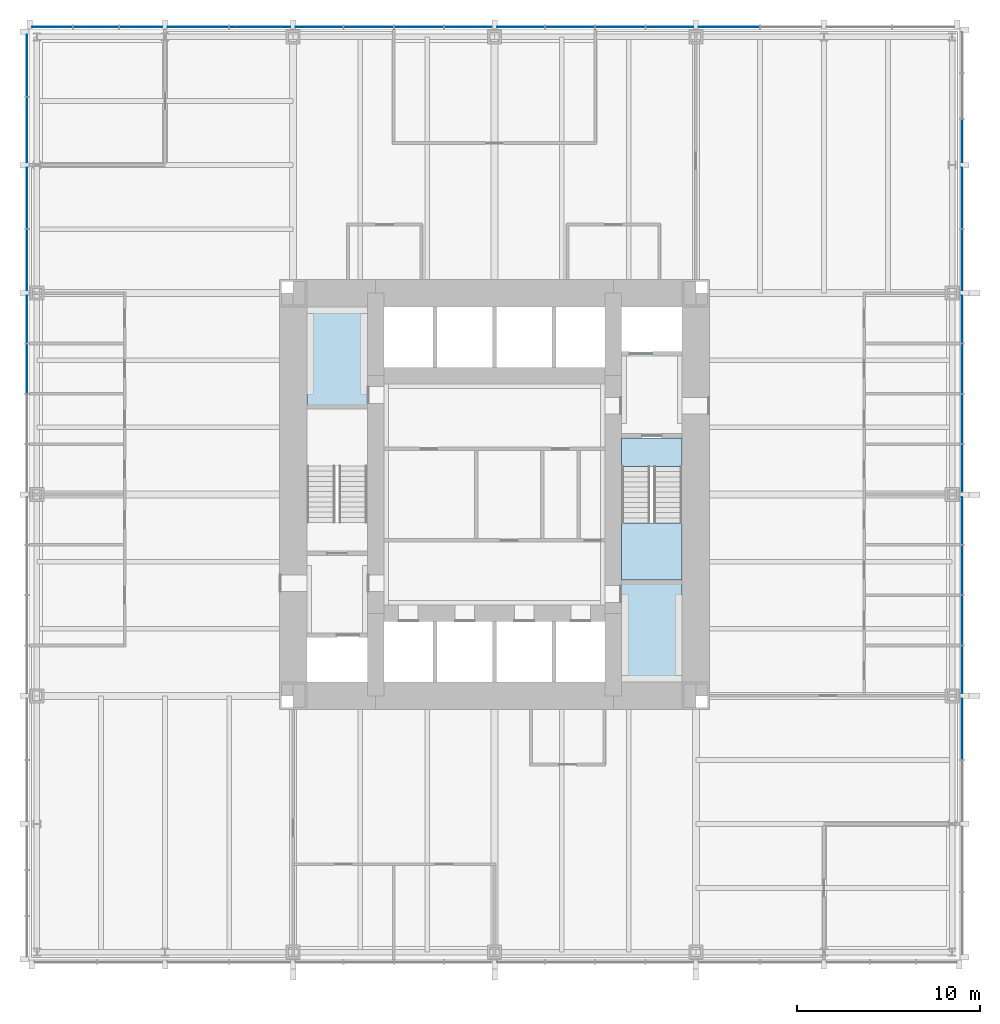
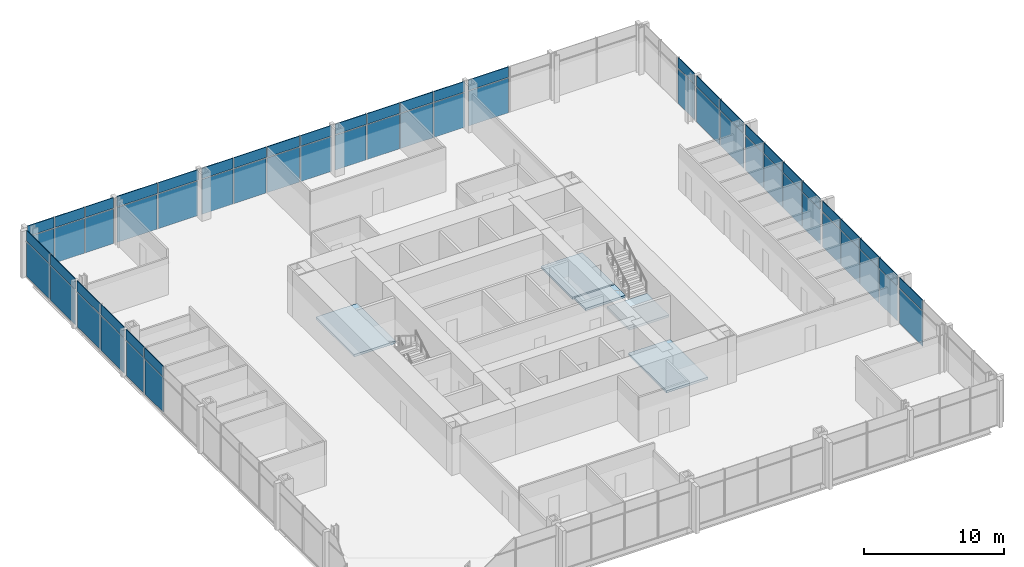
# One storey, part 8 of 13: 64 plates, 5 slabs, 4 elements without a shape of their own.
"""IFC4 building model written with IfcOpenShell, lengths in metres."""

import ifcopenshell
import ifcopenshell.guid

model = None  # the IFC model being written
_history = None  # IfcOwnerHistory: only IFC2X3 demands one
_inside = {}  # id of a spatial element -> (the spatial element, [elements in it])
_under = {}  # id of a project, library or spatial element -> (it, [spatial elements below it])
_declared = {}  # id of a project -> (the project, [libraries it declares])
_typed = {}  # id of a type object -> (the type object, [elements of that type])
_made_of = {}  # id of a material, layer set ... -> (it, [elements and type objects made of it])


def new_model(schema):
    """Start an empty IFC model of exactly this schema.

    Asked for "IFC4X3", IfcOpenShell would pick the latest addendum, in which some entities
    have other attributes; the version numbers below select the first issue.
    IFC2X3 requires an IfcOwnerHistory on every rooted entity: one is made here for all.
    """
    global model, _history
    if schema == "IFC4X3":
        model = ifcopenshell.file(schema_version=(4, 3, 0, 0))
    else:
        model = ifcopenshell.file(schema=schema)
    _inside.clear()
    _under.clear()
    _declared.clear()
    _typed.clear()
    _made_of.clear()
    _history = None
    if model.schema == "IFC2X3":
        org = make("IfcOrganization", Name="unknown")
        user = make(
            "IfcPersonAndOrganization",
            ThePerson=make("IfcPerson", FamilyName="unknown"),
            TheOrganization=org,
        )
        app = make(
            "IfcApplication",
            ApplicationDeveloper=org,
            Version="unknown",
            ApplicationFullName="unknown",
            ApplicationIdentifier="unknown",
        )
        _history = make(
            "IfcOwnerHistory",
            OwningUser=user,
            OwningApplication=app,
            ChangeAction="ADDED",
            CreationDate=0,
        )
    return model


def make(cls, **values):
    """One entity of the class cls with the attributes given. An attribute that is None is left unset."""
    return model.create_entity(
        cls, **{name: value for name, value in values.items() if value is not None}
    )


def rooted(cls, **values):
    """An entity with a GlobalId (a new one), such as an element, a storey or a relation."""
    return make(cls, GlobalId=ifcopenshell.guid.new(), OwnerHistory=_history, **values)


def si_unit(unit_type, name, prefix=None):
    """IfcSIUnit, for example si_unit("LENGTHUNIT", "METRE", prefix="MILLI")."""
    return make("IfcSIUnit", UnitType=unit_type, Prefix=prefix, Name=name)


def assignment(units):
    """IfcUnitAssignment: the units of a project."""
    return None if units is None else make("IfcUnitAssignment", Units=units)


def point(xyz):
    """IfcCartesianPoint."""
    return None if xyz is None else make("IfcCartesianPoint", Coordinates=xyz)


def direction(xyz):
    """IfcDirection."""
    return None if xyz is None else make("IfcDirection", DirectionRatios=xyz)


def frame(location, z_axis=None, x_axis=None):
    """IfcAxis2Placement3D, a coordinate frame: its origin and axes. An axis left out is left unset."""
    return make(
        "IfcAxis2Placement3D",
        Location=point(location),
        Axis=direction(z_axis),
        RefDirection=direction(x_axis),
    )


def frame_2d(location, x_axis=None):
    """IfcAxis2Placement2D, a coordinate frame in the plane: its origin and x axis."""
    return make(
        "IfcAxis2Placement2D", Location=point(location), RefDirection=direction(x_axis)
    )


def origin():
    """The frame at (0, 0, 0) with its axes left unset."""
    return frame((0.0, 0.0, 0.0))


def origin_2d():
    """The frame at (0, 0) in the plane with its x axis left unset."""
    return frame_2d((0.0, 0.0))


def place(relative_to, where):
    """IfcLocalPlacement: puts the frame where relative to a parent placement (None: the world)."""
    return make(
        "IfcLocalPlacement", PlacementRelTo=relative_to, RelativePlacement=where
    )


def context(
    kind, dimensions, precision=None, world=None, true_north=None, identifier=None
):
    """IfcGeometricRepresentationContext, for example the 3D "Model" context."""
    return make(
        "IfcGeometricRepresentationContext",
        ContextIdentifier=identifier,
        ContextType=kind,
        CoordinateSpaceDimension=dimensions,
        Precision=precision,
        WorldCoordinateSystem=world,
        TrueNorth=true_north,
    )


def subcontext(parent, identifier, kind, view, scale=None):
    """IfcGeometricRepresentationSubContext, for example "Body" below "Model"."""
    return make(
        "IfcGeometricRepresentationSubContext",
        ContextIdentifier=identifier,
        ContextType=kind,
        ParentContext=parent,
        TargetScale=scale,
        TargetView=view,
    )


def project(units=None, contexts=None):
    """IfcProject with its units and contexts."""
    return rooted(
        "IfcProject",
        Name="project",
        RepresentationContexts=contexts,
        UnitsInContext=assignment(units),
    )


def spatial(cls, under=None, at=None, **own):
    """A site, building, storey or space (cls), placed at a placement, below another one or the project."""
    s = rooted(cls, ObjectPlacement=at, **own)
    if under is not None:
        _under.setdefault(under.id(), (under, []))[1].append(s)
    return s


def polyline(points):
    """IfcPolyline through the points."""
    return make("IfcPolyline", Points=[point(p) for p in points])


def profile(cls, at=None, kind="AREA", **sizes):
    """A parametric profile (cls). Its sizes go by their IFC names, for example OverallWidth=200.0."""
    return make(cls, ProfileType=kind, Position=at, **sizes)


def rectangle(**sizes):
    """IfcRectangleProfileDef."""
    return profile("IfcRectangleProfileDef", **sizes)


def outline(outer, holes=None, kind="AREA"):
    """IfcArbitraryClosedProfileDef: a profile drawn as a closed curve; with holes, ...WithVoids."""
    if holes is None:
        return make("IfcArbitraryClosedProfileDef", ProfileType=kind, OuterCurve=outer)
    return make(
        "IfcArbitraryProfileDefWithVoids",
        ProfileType=kind,
        OuterCurve=outer,
        InnerCurves=holes,
    )


def extrude(swept, where, along, depth):
    """IfcExtrudedAreaSolid: the profile swept, set in the frame where, extruded along a direction by depth."""
    return make(
        "IfcExtrudedAreaSolid",
        SweptArea=swept,
        Position=where,
        ExtrudedDirection=direction(along),
        Depth=depth,
    )


def shape(context_of_items, identifier, shape_type, items):
    """IfcShapeRepresentation: the items that make up one representation, for example the "Body"."""
    return make(
        "IfcShapeRepresentation",
        ContextOfItems=context_of_items,
        RepresentationIdentifier=identifier,
        RepresentationType=shape_type,
        Items=items,
    )


def material(Name=None, Category=None):
    """IfcMaterial."""
    return make("IfcMaterial", Name=Name, Category=Category)


def layer(
    of_material, thickness, ventilated=None, Name=None, Category=None, Priority=None
):
    """IfcMaterialLayer: one layer of a wall or slab, of a material (None: an air gap)."""
    return make(
        "IfcMaterialLayer",
        Material=of_material,
        LayerThickness=thickness,
        IsVentilated=ventilated,
        Name=Name,
        Category=Category,
        Priority=Priority,
    )


def layer_set(layers, Name=None):
    """IfcMaterialLayerSet."""
    return make("IfcMaterialLayerSet", MaterialLayers=layers, LayerSetName=Name)


def made_of(thing, what):
    """Note that an element or type object is made of a material, layer set ...; save() writes the relation."""
    if what is not None:
        _made_of.setdefault(what.id(), (what, []))[1].append(thing)
    return thing


def type_object(cls, material=None, **own):
    """A type object (cls), such as IfcWallType, which elements share."""
    return made_of(rooted(cls, **own), material)


def element(
    cls,
    number,
    at=None,
    inside=None,
    cuts=None,
    type_object=None,
    material=None,
    context=None,
    identifier="Body",
    shape_type=None,
    held_by="IfcProductDefinitionShape",
    body=None,
    shapes=None,
    **own,
):
    """One element of the class cls, such as IfcWall. Its Tag is "e" and its number.

    at: its placement. inside: the storey or other place that contains it. cuts: it is an
    opening in that element (IfcRelVoidsElement). A single representation is given by context,
    identifier, shape_type and body (its items); several are given by shapes. held_by: the class
    of the entity that holds the representations. save() writes the other relations.
    """
    e = rooted(cls, Tag="e%d" % number, ObjectPlacement=at, **own)
    if body is not None:
        shapes = [shape(context, identifier, shape_type, body)]
    if shapes is not None:
        e.Representation = make(held_by, Representations=shapes)
    if inside is not None:
        _inside.setdefault(inside.id(), (inside, []))[1].append(e)
    if cuts is not None:
        rooted(
            "IfcRelVoidsElement", RelatingBuildingElement=cuts, RelatedOpeningElement=e
        )
    if type_object is not None:
        _typed.setdefault(type_object.id(), (type_object, []))[1].append(e)
    return made_of(e, material)


def aggregate(whole, parts):
    """IfcRelAggregates: a whole, such as a stair, and the parts it consists of."""
    return rooted("IfcRelAggregates", RelatingObject=whole, RelatedObjects=parts)


def save(model, path):
    """Write the relations noted so far, then the file.

    IfcRelAggregates (storeys below a building ...), IfcRelContainedInSpatialStructure (elements
    in a storey), IfcRelDefinesByType, IfcRelAssociatesMaterial and IfcRelDeclares: one each for
    every whole, place, type object, material and project.
    """
    for whole, parts in _under.values():
        aggregate(whole, parts)
    for where, things in _inside.values():
        rooted(
            "IfcRelContainedInSpatialStructure",
            RelatedElements=things,
            RelatingStructure=where,
        )
    for kind, things in _typed.values():
        rooted("IfcRelDefinesByType", RelatedObjects=things, RelatingType=kind)
    for what, things in _made_of.values():
        rooted("IfcRelAssociatesMaterial", RelatedObjects=things, RelatingMaterial=what)
    for by, libraries in _declared.values():
        rooted("IfcRelDeclares", RelatingContext=by, RelatedDefinitions=libraries)
    model.write(path)


model = new_model("IFC4")

# Units and contexts
model_context = context("Model", 3, precision=1e-05, world=origin(), true_north=direction((0.0, 1.0)))
body_context = subcontext(model_context, "Body", "Model", "MODEL_VIEW")
ifc_project = project(units=[si_unit("LENGTHUNIT", "METRE"), si_unit("AREAUNIT", "SQUARE_METRE"), si_unit("VOLUMEUNIT", "CUBIC_METRE"), si_unit("PLANEANGLEUNIT", "RADIAN"), si_unit("MASSUNIT", "GRAM", prefix="KILO")], contexts=[model_context])

# Site, building, storey
site_placement = place(None, origin())
site = spatial("IfcSite", under=ifc_project, at=site_placement, CompositionType="ELEMENT")
building_placement = place(site_placement, origin())
building = spatial("IfcBuilding", under=site, at=building_placement, Name="Trevanion Tower", CompositionType="ELEMENT")
storey_placement = place(building_placement, frame((0.0, 0.0, 85.699951171875)))
storey = spatial("IfcBuildingStorey", under=building, at=storey_placement, Name="L20", CompositionType="ELEMENT", Elevation=85.699951171875)

# Curtain wall, plates
ifc_material_1 = material(Name="Aluminium and glass", Category="aluminium")
curtain_wall_type = type_object("IfcCurtainWallType", Name="CW1 curtain wall", PredefinedType="USERDEFINED", material=ifc_material_1)
curtain_wall_1_placement = place(storey_placement, origin())
curtain_wall_1 = element("IfcCurtainWall", 1, at=curtain_wall_1_placement, inside=storey, type_object=curtain_wall_type, Name="CW1 L20 0", ObjectType="UNITISED CURTAIN WALL", PredefinedType="USERDEFINED")
ifc_material_2 = material(Name="Aluminium spandrel panel", Category="aluminium")
ifc_layer_1 = layer(ifc_material_2, 0.06005859375)
ifc_layer_set_1 = layer_set([ifc_layer_1], Name="CW1 spandrel panel")
plate_type_1 = type_object("IfcPlateType", Name="CW1 spandrel panel", PredefinedType="CURTAIN_PANEL", material=ifc_layer_set_1)
plate_1_placement = place(storey_placement, frame((25.550048828125, -12.806396484375, 2.99755859375), z_axis=(0.0, 0.0, 1.0), x_axis=(0.0, 1.0, 0.0)))
plate_1 = element("IfcPlate", 2, at=plate_1_placement, type_object=plate_type_1, Name="CW1 panel 4.2", PredefinedType="CURTAIN_PANEL", context=body_context, shape_type="SweptSolid", body=[
    extrude(rectangle(XDim=3.3125, YDim=0.06005859375, at=origin_2d()), origin(), (0.0, 0.0, 1.0), 0.91259765625),
])
plate_2_placement = place(storey_placement, frame((25.550048828125, -9.56884765625, 2.99755859375), z_axis=(0.0, 0.0, 1.0), x_axis=(0.0, 1.0, 0.0)))
plate_2 = element("IfcPlate", 3, at=plate_2_placement, type_object=plate_type_1, Name="CW1 panel 5.2", PredefinedType="CURTAIN_PANEL", context=body_context, shape_type="SweptSolid", body=[
    extrude(rectangle(XDim=2.5625, YDim=0.06005859375, at=origin_2d()), origin(), (0.0, 0.0, 1.0), 0.91259765625),
])
plate_3_placement = place(storey_placement, frame((25.550048828125, -6.875, 2.99755859375), z_axis=(0.0, 0.0, 1.0), x_axis=(0.0, 1.0, 0.0)))
plate_3 = element("IfcPlate", 4, at=plate_3_placement, type_object=plate_type_1, Name="CW1 panel 6.2", PredefinedType="CURTAIN_PANEL", context=body_context, shape_type="SweptSolid", body=[
    extrude(rectangle(XDim=2.675048828125, YDim=0.06005859375, at=origin_2d()), origin(), (0.0, 0.0, 1.0), 0.91259765625),
])
plate_4_placement = place(storey_placement, frame((25.550048828125, -4.125, 2.99755859375), z_axis=(0.0, 0.0, 1.0), x_axis=(0.0, 1.0, 0.0)))
plate_4 = element("IfcPlate", 5, at=plate_4_placement, type_object=plate_type_1, Name="CW1 panel 7.2", PredefinedType="CURTAIN_PANEL", context=body_context, shape_type="SweptSolid", body=[
    extrude(rectangle(XDim=2.675048828125, YDim=0.06005859375, at=origin_2d()), origin(), (0.0, 0.0, 1.0), 0.91259765625),
])
plate_5_placement = place(storey_placement, frame((25.550048828125, -1.43115234375, 2.99755859375), z_axis=(0.0, 0.0, 1.0), x_axis=(0.0, 1.0, 0.0)))
plate_5 = element("IfcPlate", 6, at=plate_5_placement, type_object=plate_type_1, Name="CW1 panel 8.2", PredefinedType="CURTAIN_PANEL", context=body_context, shape_type="SweptSolid", body=[
    extrude(rectangle(XDim=2.5625, YDim=0.06005859375, at=origin_2d()), origin(), (0.0, 0.0, 1.0), 0.91259765625),
])
plate_6_placement = place(storey_placement, frame((25.550048828125, 1.43115234375, 2.99755859375), z_axis=(0.0, 0.0, 1.0), x_axis=(0.0, 1.0, 0.0)))
plate_6 = element("IfcPlate", 7, at=plate_6_placement, type_object=plate_type_1, Name="CW1 panel 9.2", PredefinedType="CURTAIN_PANEL", context=body_context, shape_type="SweptSolid", body=[
    extrude(rectangle(XDim=2.5625, YDim=0.06005859375, at=origin_2d()), origin(), (0.0, 0.0, 1.0), 0.91259765625),
])
plate_7_placement = place(storey_placement, frame((25.550048828125, 4.125, 2.99755859375), z_axis=(0.0, 0.0, 1.0), x_axis=(0.0, 1.0, 0.0)))
plate_7 = element("IfcPlate", 8, at=plate_7_placement, type_object=plate_type_1, Name="CW1 panel 10.2", PredefinedType="CURTAIN_PANEL", context=body_context, shape_type="SweptSolid", body=[
    extrude(rectangle(XDim=2.675048828125, YDim=0.06005859375, at=origin_2d()), origin(), (0.0, 0.0, 1.0), 0.91259765625),
])
plate_8_placement = place(storey_placement, frame((25.550048828125, 6.875, 2.99755859375), z_axis=(0.0, 0.0, 1.0), x_axis=(0.0, 1.0, 0.0)))
plate_8 = element("IfcPlate", 9, at=plate_8_placement, type_object=plate_type_1, Name="CW1 panel 11.2", PredefinedType="CURTAIN_PANEL", context=body_context, shape_type="SweptSolid", body=[
    extrude(rectangle(XDim=2.675048828125, YDim=0.06005859375, at=origin_2d()), origin(), (0.0, 0.0, 1.0), 0.91259765625),
])
plate_9_placement = place(storey_placement, frame((25.550048828125, 9.56884765625, 2.99755859375), z_axis=(0.0, 0.0, 1.0), x_axis=(0.0, 1.0, 0.0)))
plate_9 = element("IfcPlate", 10, at=plate_9_placement, type_object=plate_type_1, Name="CW1 panel 12.2", PredefinedType="CURTAIN_PANEL", context=body_context, shape_type="SweptSolid", body=[
    extrude(rectangle(XDim=2.5625, YDim=0.06005859375, at=origin_2d()), origin(), (0.0, 0.0, 1.0), 0.91259765625),
])
plate_10_placement = place(storey_placement, frame((25.550048828125, 12.80615234375, 2.99755859375), z_axis=(0.0, 0.0, 1.0), x_axis=(0.0, 1.0, 0.0)))
plate_10 = element("IfcPlate", 11, at=plate_10_placement, type_object=plate_type_1, Name="CW1 panel 13.2", PredefinedType="CURTAIN_PANEL", context=body_context, shape_type="SweptSolid", body=[
    extrude(rectangle(XDim=3.3125, YDim=0.06005859375, at=origin_2d()), origin(), (0.0, 0.0, 1.0), 0.91259765625),
])
plate_11_placement = place(storey_placement, frame((25.550048828125, 16.19384765625, 2.99755859375), z_axis=(0.0, 0.0, 1.0), x_axis=(0.0, 1.0, 0.0)))
plate_11 = element("IfcPlate", 12, at=plate_11_placement, type_object=plate_type_1, Name="CW1 panel 14.2", PredefinedType="CURTAIN_PANEL", context=body_context, shape_type="SweptSolid", body=[
    extrude(rectangle(XDim=3.3125, YDim=0.06005859375, at=origin_2d()), origin(), (0.0, 0.0, 1.0), 0.91259765625),
])
plate_12_placement = place(storey_placement, frame((25.550048828125, 19.314697265625, 2.99755859375), z_axis=(0.0, 0.0, 1.0), x_axis=(0.0, 1.0, 0.0)))
plate_12 = element("IfcPlate", 13, at=plate_12_placement, type_object=plate_type_1, Name="CW1 panel 15.2", PredefinedType="CURTAIN_PANEL", context=body_context, shape_type="SweptSolid", body=[
    extrude(rectangle(XDim=2.3291015625, YDim=0.06005859375, at=origin_2d()), origin(), (0.0, 0.0, 1.0), 0.91259765625),
])

curtain_wall_2_placement = place(storey_placement, origin())
curtain_wall_2 = element("IfcCurtainWall", 14, at=curtain_wall_2_placement, inside=storey, type_object=curtain_wall_type, Name="CW1 L20 1", ObjectType="UNITISED CURTAIN WALL", PredefinedType="USERDEFINED")
plate_13_placement = place(storey_placement, frame((12.806396484375, 25.550048828125, 2.99755859375), z_axis=(0.0, 0.0, 1.0), x_axis=(-1.0, 0.0, 0.0)))
plate_13 = element("IfcPlate", 15, at=plate_13_placement, type_object=plate_type_1, Name="CW1 panel 4.2", PredefinedType="CURTAIN_PANEL", context=body_context, shape_type="SweptSolid", body=[
    extrude(rectangle(XDim=3.3125, YDim=0.06005859375, at=origin_2d()), origin(), (0.0, 0.0, 1.0), 0.91259765625),
])
plate_14_placement = place(storey_placement, frame((9.56884765625, 25.550048828125, 2.99755859375), z_axis=(0.0, 0.0, 1.0), x_axis=(-1.0, 0.0, 0.0)))
plate_14 = element("IfcPlate", 16, at=plate_14_placement, type_object=plate_type_1, Name="CW1 panel 5.2", PredefinedType="CURTAIN_PANEL", context=body_context, shape_type="SweptSolid", body=[
    extrude(rectangle(XDim=2.5625, YDim=0.06005859375, at=origin_2d()), origin(), (0.0, 0.0, 1.0), 0.91259765625),
])
plate_15_placement = place(storey_placement, frame((6.875, 25.550048828125, 2.99755859375), z_axis=(0.0, 0.0, 1.0), x_axis=(-1.0, 0.0, 0.0)))
plate_15 = element("IfcPlate", 17, at=plate_15_placement, type_object=plate_type_1, Name="CW1 panel 6.2", PredefinedType="CURTAIN_PANEL", context=body_context, shape_type="SweptSolid", body=[
    extrude(rectangle(XDim=2.675048828125, YDim=0.06005859375, at=origin_2d()), origin(), (0.0, 0.0, 1.0), 0.91259765625),
])
plate_16_placement = place(storey_placement, frame((4.125, 25.550048828125, 2.99755859375), z_axis=(0.0, 0.0, 1.0), x_axis=(-1.0, 0.0, 0.0)))
plate_16 = element("IfcPlate", 18, at=plate_16_placement, type_object=plate_type_1, Name="CW1 panel 7.2", PredefinedType="CURTAIN_PANEL", context=body_context, shape_type="SweptSolid", body=[
    extrude(rectangle(XDim=2.675048828125, YDim=0.06005859375, at=origin_2d()), origin(), (0.0, 0.0, 1.0), 0.91259765625),
])
plate_17_placement = place(storey_placement, frame((1.43115234375, 25.550048828125, 2.99755859375), z_axis=(0.0, 0.0, 1.0), x_axis=(-1.0, 0.0, 0.0)))
plate_17 = element("IfcPlate", 19, at=plate_17_placement, type_object=plate_type_1, Name="CW1 panel 8.2", PredefinedType="CURTAIN_PANEL", context=body_context, shape_type="SweptSolid", body=[
    extrude(rectangle(XDim=2.5625, YDim=0.06005859375, at=origin_2d()), origin(), (0.0, 0.0, 1.0), 0.91259765625),
])
plate_18_placement = place(storey_placement, frame((-1.43115234375, 25.550048828125, 2.99755859375), z_axis=(0.0, 0.0, 1.0), x_axis=(-1.0, 0.0, 0.0)))
plate_18 = element("IfcPlate", 20, at=plate_18_placement, type_object=plate_type_1, Name="CW1 panel 9.2", PredefinedType="CURTAIN_PANEL", context=body_context, shape_type="SweptSolid", body=[
    extrude(rectangle(XDim=2.5625, YDim=0.06005859375, at=origin_2d()), origin(), (0.0, 0.0, 1.0), 0.91259765625),
])
plate_19_placement = place(storey_placement, frame((-4.125, 25.550048828125, 2.99755859375), z_axis=(0.0, 0.0, 1.0), x_axis=(-1.0, 0.0, 0.0)))
plate_19 = element("IfcPlate", 21, at=plate_19_placement, type_object=plate_type_1, Name="CW1 panel 10.2", PredefinedType="CURTAIN_PANEL", context=body_context, shape_type="SweptSolid", body=[
    extrude(rectangle(XDim=2.675048828125, YDim=0.06005859375, at=origin_2d()), origin(), (0.0, 0.0, 1.0), 0.91259765625),
])
plate_20_placement = place(storey_placement, frame((-6.875, 25.550048828125, 2.99755859375), z_axis=(0.0, 0.0, 1.0), x_axis=(-1.0, 0.0, 0.0)))
plate_20 = element("IfcPlate", 22, at=plate_20_placement, type_object=plate_type_1, Name="CW1 panel 11.2", PredefinedType="CURTAIN_PANEL", context=body_context, shape_type="SweptSolid", body=[
    extrude(rectangle(XDim=2.675048828125, YDim=0.06005859375, at=origin_2d()), origin(), (0.0, 0.0, 1.0), 0.91259765625),
])
plate_21_placement = place(storey_placement, frame((-9.56884765625, 25.550048828125, 2.99755859375), z_axis=(0.0, 0.0, 1.0), x_axis=(-1.0, 0.0, 0.0)))
plate_21 = element("IfcPlate", 23, at=plate_21_placement, type_object=plate_type_1, Name="CW1 panel 12.2", PredefinedType="CURTAIN_PANEL", context=body_context, shape_type="SweptSolid", body=[
    extrude(rectangle(XDim=2.5625, YDim=0.06005859375, at=origin_2d()), origin(), (0.0, 0.0, 1.0), 0.91259765625),
])
plate_22_placement = place(storey_placement, frame((-12.80615234375, 25.550048828125, 2.99755859375), z_axis=(0.0, 0.0, 1.0), x_axis=(-1.0, 0.0, 0.0)))
plate_22 = element("IfcPlate", 24, at=plate_22_placement, type_object=plate_type_1, Name="CW1 panel 13.2", PredefinedType="CURTAIN_PANEL", context=body_context, shape_type="SweptSolid", body=[
    extrude(rectangle(XDim=3.3125, YDim=0.06005859375, at=origin_2d()), origin(), (0.0, 0.0, 1.0), 0.91259765625),
])
plate_23_placement = place(storey_placement, frame((-16.19384765625, 25.550048828125, 2.99755859375), z_axis=(0.0, 0.0, 1.0), x_axis=(-1.0, 0.0, 0.0)))
plate_23 = element("IfcPlate", 25, at=plate_23_placement, type_object=plate_type_1, Name="CW1 panel 14.2", PredefinedType="CURTAIN_PANEL", context=body_context, shape_type="SweptSolid", body=[
    extrude(rectangle(XDim=3.3125, YDim=0.06005859375, at=origin_2d()), origin(), (0.0, 0.0, 1.0), 0.91259765625),
])
plate_24_placement = place(storey_placement, frame((-19.314697265625, 25.550048828125, 2.99755859375), z_axis=(0.0, 0.0, 1.0), x_axis=(-1.0, 0.0, 0.0)))
plate_24 = element("IfcPlate", 26, at=plate_24_placement, type_object=plate_type_1, Name="CW1 panel 15.2", PredefinedType="CURTAIN_PANEL", context=body_context, shape_type="SweptSolid", body=[
    extrude(rectangle(XDim=2.3291015625, YDim=0.06005859375, at=origin_2d()), origin(), (0.0, 0.0, 1.0), 0.91259765625),
])
plate_25_placement = place(storey_placement, frame((-21.77490234375, 25.550048828125, 2.99755859375), z_axis=(0.0, 0.0, 1.0), x_axis=(-1.0, 0.0, 0.0)))
plate_25 = element("IfcPlate", 27, at=plate_25_placement, type_object=plate_type_1, Name="CW1 panel 16.2", PredefinedType="CURTAIN_PANEL", context=body_context, shape_type="SweptSolid", body=[
    extrude(rectangle(XDim=2.441650390625, YDim=0.06005859375, at=origin_2d()), origin(), (0.0, 0.0, 1.0), 0.91259765625),
])
plate_26_placement = place(storey_placement, frame((-24.160400390625, 25.550048828125, 2.99755859375), z_axis=(0.0, 0.0, 1.0), x_axis=(-1.0, 0.0, 0.0)))
plate_26 = element("IfcPlate", 28, at=plate_26_placement, type_object=plate_type_1, Name="CW1 panel 17.2", PredefinedType="CURTAIN_PANEL", context=body_context, shape_type="SweptSolid", body=[
    extrude(rectangle(XDim=2.17919921875, YDim=0.06005859375, at=origin_2d()), origin(), (0.0, 0.0, 1.0), 0.91259765625),
])

curtain_wall_3_placement = place(storey_placement, origin())
curtain_wall_3 = element("IfcCurtainWall", 29, at=curtain_wall_3_placement, inside=storey, type_object=curtain_wall_type, Name="CW1 L20 2", ObjectType="UNITISED CURTAIN WALL", PredefinedType="USERDEFINED")
plate_27_placement = place(storey_placement, frame((-25.550048828125, 23.433837890625, 2.99755859375), z_axis=(0.0, 0.0, 1.0), x_axis=(0.0, -1.0, 0.0)))
plate_27 = element("IfcPlate", 30, at=plate_27_placement, type_object=plate_type_1, Name="CW1 panel 1.2", PredefinedType="CURTAIN_PANEL", context=body_context, shape_type="SweptSolid", body=[
    extrude(rectangle(XDim=3.37255859375, YDim=0.06005859375, at=origin_2d()), origin(), (0.0, 0.0, 1.0), 0.91259765625),
])
plate_28_placement = place(storey_placement, frame((-25.550048828125, 19.911376953125, 2.99755859375), z_axis=(0.0, 0.0, 1.0), x_axis=(0.0, -1.0, 0.0)))
plate_28 = element("IfcPlate", 31, at=plate_28_placement, type_object=plate_type_1, Name="CW1 panel 2.2", PredefinedType="CURTAIN_PANEL", context=body_context, shape_type="SweptSolid", body=[
    extrude(rectangle(XDim=3.5224609375, YDim=0.06005859375, at=origin_2d()), origin(), (0.0, 0.0, 1.0), 0.91259765625),
])
plate_29_placement = place(storey_placement, frame((-25.550048828125, 16.19384765625, 2.99755859375), z_axis=(0.0, 0.0, 1.0), x_axis=(0.0, -1.0, 0.0)))
plate_29 = element("IfcPlate", 32, at=plate_29_placement, type_object=plate_type_1, Name="CW1 panel 3.2", PredefinedType="CURTAIN_PANEL", context=body_context, shape_type="SweptSolid", body=[
    extrude(rectangle(XDim=3.3125, YDim=0.06005859375, at=origin_2d()), origin(), (0.0, 0.0, 1.0), 0.91259765625),
])
plate_30_placement = place(storey_placement, frame((-25.550048828125, 12.806396484375, 2.99755859375), z_axis=(0.0, 0.0, 1.0), x_axis=(0.0, -1.0, 0.0)))
plate_30 = element("IfcPlate", 33, at=plate_30_placement, type_object=plate_type_1, Name="CW1 panel 4.2", PredefinedType="CURTAIN_PANEL", context=body_context, shape_type="SweptSolid", body=[
    extrude(rectangle(XDim=3.3125, YDim=0.06005859375, at=origin_2d()), origin(), (0.0, 0.0, 1.0), 0.91259765625),
])
plate_31_placement = place(storey_placement, frame((-25.550048828125, 9.56884765625, 2.99755859375), z_axis=(0.0, 0.0, 1.0), x_axis=(0.0, -1.0, 0.0)))
plate_31 = element("IfcPlate", 34, at=plate_31_placement, type_object=plate_type_1, Name="CW1 panel 5.2", PredefinedType="CURTAIN_PANEL", context=body_context, shape_type="SweptSolid", body=[
    extrude(rectangle(XDim=2.5625, YDim=0.06005859375, at=origin_2d()), origin(), (0.0, 0.0, 1.0), 0.91259765625),
])
plate_32_placement = place(storey_placement, frame((-25.550048828125, 6.875, 2.99755859375), z_axis=(0.0, 0.0, 1.0), x_axis=(0.0, -1.0, 0.0)))
plate_32 = element("IfcPlate", 35, at=plate_32_placement, type_object=plate_type_1, Name="CW1 panel 6.2", PredefinedType="CURTAIN_PANEL", context=body_context, shape_type="SweptSolid", body=[
    extrude(rectangle(XDim=2.675048828125, YDim=0.06005859375, at=origin_2d()), origin(), (0.0, 0.0, 1.0), 0.91259765625),
])

# Plate
ifc_material_3 = material(Name="Insulating glass unit", Category="glass")
ifc_layer_2 = layer(ifc_material_3, 0.028076171875)
ifc_layer_set_2 = layer_set([ifc_layer_2], Name="CW1 vision panel")
plate_type_2 = type_object("IfcPlateType", Name="CW1 vision panel", PredefinedType="CURTAIN_PANEL", material=ifc_layer_set_2)
plate_33_placement = place(storey_placement, frame((25.550048828125, -12.806396484375, -0.114990234375), z_axis=(0.0, 0.0, 1.0), x_axis=(0.0, 1.0, 0.0)))
plate_33 = element("IfcPlate", 36, at=plate_33_placement, type_object=plate_type_2, Name="CW1 panel 4.1", PredefinedType="CURTAIN_PANEL", context=body_context, shape_type="SweptSolid", body=[
    extrude(rectangle(XDim=3.3125, YDim=0.028076171875, at=origin_2d()), origin(), (0.0, 0.0, 1.0), 3.03759765625),
])

plate_34_placement = place(storey_placement, frame((25.550048828125, -9.56884765625, -0.114990234375), z_axis=(0.0, 0.0, 1.0), x_axis=(0.0, 1.0, 0.0)))
plate_34 = element("IfcPlate", 37, at=plate_34_placement, type_object=plate_type_2, Name="CW1 panel 5.1", PredefinedType="CURTAIN_PANEL", context=body_context, shape_type="SweptSolid", body=[
    extrude(rectangle(XDim=2.5625, YDim=0.028076171875, at=origin_2d()), origin(), (0.0, 0.0, 1.0), 3.03759765625),
])

plate_35_placement = place(storey_placement, frame((25.550048828125, -6.875, -0.114990234375), z_axis=(0.0, 0.0, 1.0), x_axis=(0.0, 1.0, 0.0)))
plate_35 = element("IfcPlate", 38, at=plate_35_placement, type_object=plate_type_2, Name="CW1 panel 6.1", PredefinedType="CURTAIN_PANEL", context=body_context, shape_type="SweptSolid", body=[
    extrude(rectangle(XDim=2.675048828125, YDim=0.028076171875, at=origin_2d()), origin(), (0.0, 0.0, 1.0), 3.03759765625),
])

plate_36_placement = place(storey_placement, frame((25.550048828125, -4.125, -0.114990234375), z_axis=(0.0, 0.0, 1.0), x_axis=(0.0, 1.0, 0.0)))
plate_36 = element("IfcPlate", 39, at=plate_36_placement, type_object=plate_type_2, Name="CW1 panel 7.1", PredefinedType="CURTAIN_PANEL", context=body_context, shape_type="SweptSolid", body=[
    extrude(rectangle(XDim=2.675048828125, YDim=0.028076171875, at=origin_2d()), origin(), (0.0, 0.0, 1.0), 3.03759765625),
])

plate_37_placement = place(storey_placement, frame((25.550048828125, -1.43115234375, -0.114990234375), z_axis=(0.0, 0.0, 1.0), x_axis=(0.0, 1.0, 0.0)))
plate_37 = element("IfcPlate", 40, at=plate_37_placement, type_object=plate_type_2, Name="CW1 panel 8.1", PredefinedType="CURTAIN_PANEL", context=body_context, shape_type="SweptSolid", body=[
    extrude(rectangle(XDim=2.5625, YDim=0.028076171875, at=origin_2d()), origin(), (0.0, 0.0, 1.0), 3.03759765625),
])

plate_38_placement = place(storey_placement, frame((25.550048828125, 1.43115234375, -0.114990234375), z_axis=(0.0, 0.0, 1.0), x_axis=(0.0, 1.0, 0.0)))
plate_38 = element("IfcPlate", 41, at=plate_38_placement, type_object=plate_type_2, Name="CW1 panel 9.1", PredefinedType="CURTAIN_PANEL", context=body_context, shape_type="SweptSolid", body=[
    extrude(rectangle(XDim=2.5625, YDim=0.028076171875, at=origin_2d()), origin(), (0.0, 0.0, 1.0), 3.03759765625),
])

plate_39_placement = place(storey_placement, frame((25.550048828125, 4.125, -0.114990234375), z_axis=(0.0, 0.0, 1.0), x_axis=(0.0, 1.0, 0.0)))
plate_39 = element("IfcPlate", 42, at=plate_39_placement, type_object=plate_type_2, Name="CW1 panel 10.1", PredefinedType="CURTAIN_PANEL", context=body_context, shape_type="SweptSolid", body=[
    extrude(rectangle(XDim=2.675048828125, YDim=0.028076171875, at=origin_2d()), origin(), (0.0, 0.0, 1.0), 3.03759765625),
])

plate_40_placement = place(storey_placement, frame((25.550048828125, 6.875, -0.114990234375), z_axis=(0.0, 0.0, 1.0), x_axis=(0.0, 1.0, 0.0)))
plate_40 = element("IfcPlate", 43, at=plate_40_placement, type_object=plate_type_2, Name="CW1 panel 11.1", PredefinedType="CURTAIN_PANEL", context=body_context, shape_type="SweptSolid", body=[
    extrude(rectangle(XDim=2.675048828125, YDim=0.028076171875, at=origin_2d()), origin(), (0.0, 0.0, 1.0), 3.03759765625),
])

plate_41_placement = place(storey_placement, frame((25.550048828125, 9.56884765625, -0.114990234375), z_axis=(0.0, 0.0, 1.0), x_axis=(0.0, 1.0, 0.0)))
plate_41 = element("IfcPlate", 44, at=plate_41_placement, type_object=plate_type_2, Name="CW1 panel 12.1", PredefinedType="CURTAIN_PANEL", context=body_context, shape_type="SweptSolid", body=[
    extrude(rectangle(XDim=2.5625, YDim=0.028076171875, at=origin_2d()), origin(), (0.0, 0.0, 1.0), 3.03759765625),
])

plate_42_placement = place(storey_placement, frame((25.550048828125, 12.80615234375, -0.114990234375), z_axis=(0.0, 0.0, 1.0), x_axis=(0.0, 1.0, 0.0)))
plate_42 = element("IfcPlate", 45, at=plate_42_placement, type_object=plate_type_2, Name="CW1 panel 13.1", PredefinedType="CURTAIN_PANEL", context=body_context, shape_type="SweptSolid", body=[
    extrude(rectangle(XDim=3.3125, YDim=0.028076171875, at=origin_2d()), origin(), (0.0, 0.0, 1.0), 3.03759765625),
])

plate_43_placement = place(storey_placement, frame((25.550048828125, 16.19384765625, -0.114990234375), z_axis=(0.0, 0.0, 1.0), x_axis=(0.0, 1.0, 0.0)))
plate_43 = element("IfcPlate", 46, at=plate_43_placement, type_object=plate_type_2, Name="CW1 panel 14.1", PredefinedType="CURTAIN_PANEL", context=body_context, shape_type="SweptSolid", body=[
    extrude(rectangle(XDim=3.3125, YDim=0.028076171875, at=origin_2d()), origin(), (0.0, 0.0, 1.0), 3.03759765625),
])

plate_44_placement = place(storey_placement, frame((25.550048828125, 19.314697265625, -0.114990234375), z_axis=(0.0, 0.0, 1.0), x_axis=(0.0, 1.0, 0.0)))
plate_44 = element("IfcPlate", 47, at=plate_44_placement, type_object=plate_type_2, Name="CW1 panel 15.1", PredefinedType="CURTAIN_PANEL", context=body_context, shape_type="SweptSolid", body=[
    extrude(rectangle(XDim=2.3291015625, YDim=0.028076171875, at=origin_2d()), origin(), (0.0, 0.0, 1.0), 3.03759765625),
])

aggregate(curtain_wall_1, [plate_33, plate_1, plate_34, plate_2, plate_35, plate_3, plate_36, plate_4, plate_37, plate_5, plate_38, plate_6, plate_39, plate_7, plate_40, plate_8, plate_41, plate_9, plate_42, plate_10, plate_43, plate_11, plate_44, plate_12])

plate_45_placement = place(storey_placement, frame((12.806396484375, 25.550048828125, -0.114990234375), z_axis=(0.0, 0.0, 1.0), x_axis=(-1.0, 0.0, 0.0)))
plate_45 = element("IfcPlate", 48, at=plate_45_placement, type_object=plate_type_2, Name="CW1 panel 4.1", PredefinedType="CURTAIN_PANEL", context=body_context, shape_type="SweptSolid", body=[
    extrude(rectangle(XDim=3.3125, YDim=0.028076171875, at=origin_2d()), origin(), (0.0, 0.0, 1.0), 3.03759765625),
])

plate_46_placement = place(storey_placement, frame((9.56884765625, 25.550048828125, -0.114990234375), z_axis=(0.0, 0.0, 1.0), x_axis=(-1.0, 0.0, 0.0)))
plate_46 = element("IfcPlate", 49, at=plate_46_placement, type_object=plate_type_2, Name="CW1 panel 5.1", PredefinedType="CURTAIN_PANEL", context=body_context, shape_type="SweptSolid", body=[
    extrude(rectangle(XDim=2.5625, YDim=0.028076171875, at=origin_2d()), origin(), (0.0, 0.0, 1.0), 3.03759765625),
])

plate_47_placement = place(storey_placement, frame((6.875, 25.550048828125, -0.114990234375), z_axis=(0.0, 0.0, 1.0), x_axis=(-1.0, 0.0, 0.0)))
plate_47 = element("IfcPlate", 50, at=plate_47_placement, type_object=plate_type_2, Name="CW1 panel 6.1", PredefinedType="CURTAIN_PANEL", context=body_context, shape_type="SweptSolid", body=[
    extrude(rectangle(XDim=2.675048828125, YDim=0.028076171875, at=origin_2d()), origin(), (0.0, 0.0, 1.0), 3.03759765625),
])

plate_48_placement = place(storey_placement, frame((4.125, 25.550048828125, -0.114990234375), z_axis=(0.0, 0.0, 1.0), x_axis=(-1.0, 0.0, 0.0)))
plate_48 = element("IfcPlate", 51, at=plate_48_placement, type_object=plate_type_2, Name="CW1 panel 7.1", PredefinedType="CURTAIN_PANEL", context=body_context, shape_type="SweptSolid", body=[
    extrude(rectangle(XDim=2.675048828125, YDim=0.028076171875, at=origin_2d()), origin(), (0.0, 0.0, 1.0), 3.03759765625),
])

plate_49_placement = place(storey_placement, frame((1.43115234375, 25.550048828125, -0.114990234375), z_axis=(0.0, 0.0, 1.0), x_axis=(-1.0, 0.0, 0.0)))
plate_49 = element("IfcPlate", 52, at=plate_49_placement, type_object=plate_type_2, Name="CW1 panel 8.1", PredefinedType="CURTAIN_PANEL", context=body_context, shape_type="SweptSolid", body=[
    extrude(rectangle(XDim=2.5625, YDim=0.028076171875, at=origin_2d()), origin(), (0.0, 0.0, 1.0), 3.03759765625),
])

plate_50_placement = place(storey_placement, frame((-1.43115234375, 25.550048828125, -0.114990234375), z_axis=(0.0, 0.0, 1.0), x_axis=(-1.0, 0.0, 0.0)))
plate_50 = element("IfcPlate", 53, at=plate_50_placement, type_object=plate_type_2, Name="CW1 panel 9.1", PredefinedType="CURTAIN_PANEL", context=body_context, shape_type="SweptSolid", body=[
    extrude(rectangle(XDim=2.5625, YDim=0.028076171875, at=origin_2d()), origin(), (0.0, 0.0, 1.0), 3.03759765625),
])

plate_51_placement = place(storey_placement, frame((-4.125, 25.550048828125, -0.114990234375), z_axis=(0.0, 0.0, 1.0), x_axis=(-1.0, 0.0, 0.0)))
plate_51 = element("IfcPlate", 54, at=plate_51_placement, type_object=plate_type_2, Name="CW1 panel 10.1", PredefinedType="CURTAIN_PANEL", context=body_context, shape_type="SweptSolid", body=[
    extrude(rectangle(XDim=2.675048828125, YDim=0.028076171875, at=origin_2d()), origin(), (0.0, 0.0, 1.0), 3.03759765625),
])

plate_52_placement = place(storey_placement, frame((-6.875, 25.550048828125, -0.114990234375), z_axis=(0.0, 0.0, 1.0), x_axis=(-1.0, 0.0, 0.0)))
plate_52 = element("IfcPlate", 55, at=plate_52_placement, type_object=plate_type_2, Name="CW1 panel 11.1", PredefinedType="CURTAIN_PANEL", context=body_context, shape_type="SweptSolid", body=[
    extrude(rectangle(XDim=2.675048828125, YDim=0.028076171875, at=origin_2d()), origin(), (0.0, 0.0, 1.0), 3.03759765625),
])

plate_53_placement = place(storey_placement, frame((-9.56884765625, 25.550048828125, -0.114990234375), z_axis=(0.0, 0.0, 1.0), x_axis=(-1.0, 0.0, 0.0)))
plate_53 = element("IfcPlate", 56, at=plate_53_placement, type_object=plate_type_2, Name="CW1 panel 12.1", PredefinedType="CURTAIN_PANEL", context=body_context, shape_type="SweptSolid", body=[
    extrude(rectangle(XDim=2.5625, YDim=0.028076171875, at=origin_2d()), origin(), (0.0, 0.0, 1.0), 3.03759765625),
])

plate_54_placement = place(storey_placement, frame((-12.80615234375, 25.550048828125, -0.114990234375), z_axis=(0.0, 0.0, 1.0), x_axis=(-1.0, 0.0, 0.0)))
plate_54 = element("IfcPlate", 57, at=plate_54_placement, type_object=plate_type_2, Name="CW1 panel 13.1", PredefinedType="CURTAIN_PANEL", context=body_context, shape_type="SweptSolid", body=[
    extrude(rectangle(XDim=3.3125, YDim=0.028076171875, at=origin_2d()), origin(), (0.0, 0.0, 1.0), 3.03759765625),
])

plate_55_placement = place(storey_placement, frame((-16.19384765625, 25.550048828125, -0.114990234375), z_axis=(0.0, 0.0, 1.0), x_axis=(-1.0, 0.0, 0.0)))
plate_55 = element("IfcPlate", 58, at=plate_55_placement, type_object=plate_type_2, Name="CW1 panel 14.1", PredefinedType="CURTAIN_PANEL", context=body_context, shape_type="SweptSolid", body=[
    extrude(rectangle(XDim=3.3125, YDim=0.028076171875, at=origin_2d()), origin(), (0.0, 0.0, 1.0), 3.03759765625),
])

plate_56_placement = place(storey_placement, frame((-19.314697265625, 25.550048828125, -0.114990234375), z_axis=(0.0, 0.0, 1.0), x_axis=(-1.0, 0.0, 0.0)))
plate_56 = element("IfcPlate", 59, at=plate_56_placement, type_object=plate_type_2, Name="CW1 panel 15.1", PredefinedType="CURTAIN_PANEL", context=body_context, shape_type="SweptSolid", body=[
    extrude(rectangle(XDim=2.3291015625, YDim=0.028076171875, at=origin_2d()), origin(), (0.0, 0.0, 1.0), 3.03759765625),
])

plate_57_placement = place(storey_placement, frame((-21.77490234375, 25.550048828125, -0.114990234375), z_axis=(0.0, 0.0, 1.0), x_axis=(-1.0, 0.0, 0.0)))
plate_57 = element("IfcPlate", 60, at=plate_57_placement, type_object=plate_type_2, Name="CW1 panel 16.1", PredefinedType="CURTAIN_PANEL", context=body_context, shape_type="SweptSolid", body=[
    extrude(rectangle(XDim=2.441650390625, YDim=0.028076171875, at=origin_2d()), origin(), (0.0, 0.0, 1.0), 3.03759765625),
])

plate_58_placement = place(storey_placement, frame((-24.160400390625, 25.550048828125, -0.114990234375), z_axis=(0.0, 0.0, 1.0), x_axis=(-1.0, 0.0, 0.0)))
plate_58 = element("IfcPlate", 61, at=plate_58_placement, type_object=plate_type_2, Name="CW1 panel 17.1", PredefinedType="CURTAIN_PANEL", context=body_context, shape_type="SweptSolid", body=[
    extrude(rectangle(XDim=2.17919921875, YDim=0.028076171875, at=origin_2d()), origin(), (0.0, 0.0, 1.0), 3.03759765625),
])

aggregate(curtain_wall_2, [plate_45, plate_13, plate_46, plate_14, plate_47, plate_15, plate_48, plate_16, plate_49, plate_17, plate_50, plate_18, plate_51, plate_19, plate_52, plate_20, plate_53, plate_21, plate_54, plate_22, plate_55, plate_23, plate_56, plate_24, plate_57, plate_25, plate_58, plate_26])

plate_59_placement = place(storey_placement, frame((-25.550048828125, 23.433837890625, -0.114990234375), z_axis=(0.0, 0.0, 1.0), x_axis=(0.0, -1.0, 0.0)))
plate_59 = element("IfcPlate", 62, at=plate_59_placement, type_object=plate_type_2, Name="CW1 panel 1.1", PredefinedType="CURTAIN_PANEL", context=body_context, shape_type="SweptSolid", body=[
    extrude(rectangle(XDim=3.37255859375, YDim=0.028076171875, at=origin_2d()), origin(), (0.0, 0.0, 1.0), 3.03759765625),
])

plate_60_placement = place(storey_placement, frame((-25.550048828125, 19.911376953125, -0.114990234375), z_axis=(0.0, 0.0, 1.0), x_axis=(0.0, -1.0, 0.0)))
plate_60 = element("IfcPlate", 63, at=plate_60_placement, type_object=plate_type_2, Name="CW1 panel 2.1", PredefinedType="CURTAIN_PANEL", context=body_context, shape_type="SweptSolid", body=[
    extrude(rectangle(XDim=3.5224609375, YDim=0.028076171875, at=origin_2d()), origin(), (0.0, 0.0, 1.0), 3.03759765625),
])

plate_61_placement = place(storey_placement, frame((-25.550048828125, 16.19384765625, -0.114990234375), z_axis=(0.0, 0.0, 1.0), x_axis=(0.0, -1.0, 0.0)))
plate_61 = element("IfcPlate", 64, at=plate_61_placement, type_object=plate_type_2, Name="CW1 panel 3.1", PredefinedType="CURTAIN_PANEL", context=body_context, shape_type="SweptSolid", body=[
    extrude(rectangle(XDim=3.3125, YDim=0.028076171875, at=origin_2d()), origin(), (0.0, 0.0, 1.0), 3.03759765625),
])

plate_62_placement = place(storey_placement, frame((-25.550048828125, 12.806396484375, -0.114990234375), z_axis=(0.0, 0.0, 1.0), x_axis=(0.0, -1.0, 0.0)))
plate_62 = element("IfcPlate", 65, at=plate_62_placement, type_object=plate_type_2, Name="CW1 panel 4.1", PredefinedType="CURTAIN_PANEL", context=body_context, shape_type="SweptSolid", body=[
    extrude(rectangle(XDim=3.3125, YDim=0.028076171875, at=origin_2d()), origin(), (0.0, 0.0, 1.0), 3.03759765625),
])

plate_63_placement = place(storey_placement, frame((-25.550048828125, 9.56884765625, -0.114990234375), z_axis=(0.0, 0.0, 1.0), x_axis=(0.0, -1.0, 0.0)))
plate_63 = element("IfcPlate", 66, at=plate_63_placement, type_object=plate_type_2, Name="CW1 panel 5.1", PredefinedType="CURTAIN_PANEL", context=body_context, shape_type="SweptSolid", body=[
    extrude(rectangle(XDim=2.5625, YDim=0.028076171875, at=origin_2d()), origin(), (0.0, 0.0, 1.0), 3.03759765625),
])

plate_64_placement = place(storey_placement, frame((-25.550048828125, 6.875, -0.114990234375), z_axis=(0.0, 0.0, 1.0), x_axis=(0.0, -1.0, 0.0)))
plate_64 = element("IfcPlate", 67, at=plate_64_placement, type_object=plate_type_2, Name="CW1 panel 6.1", PredefinedType="CURTAIN_PANEL", context=body_context, shape_type="SweptSolid", body=[
    extrude(rectangle(XDim=2.675048828125, YDim=0.028076171875, at=origin_2d()), origin(), (0.0, 0.0, 1.0), 3.03759765625),
])

aggregate(curtain_wall_3, [plate_59, plate_27, plate_60, plate_28, plate_61, plate_29, plate_62, plate_30, plate_63, plate_31, plate_64, plate_32])

# Slabs
ifc_material_4 = material(Name="Concrete 5,000 psi", Category="concrete")
ifc_layer_3 = layer(ifc_material_4, 0.199951171875)
ifc_layer_set_3 = layer_set([ifc_layer_3], Name="SL2 core floor 200")
slab_type_1 = type_object("IfcSlabType", Name="SL2 core floor 200", PredefinedType="FLOOR", material=ifc_layer_set_3)
slab_1_placement = place(storey_placement, frame((0.0, 0.0, -0.199951171875)))
element("IfcSlab", 68, at=slab_1_placement, inside=storey, type_object=slab_type_1, Name="SL2 L20 core floor 1", PredefinedType="FLOOR", context=body_context, shape_type="SweptSolid", body=[
    extrude(outline(polyline([(10.25, -4.804931640625), (10.25, -10.25), (6.830078125, -10.25), (6.830078125, -4.804931640625), (10.25, -4.804931640625)])), origin(), (0.0, 0.0, 1.0), 0.199951171875),
])
slab_2_placement = place(storey_placement, frame((0.0, 0.0, -0.199951171875)))
element("IfcSlab", 69, at=slab_2_placement, inside=storey, type_object=slab_type_1, Name="SL2 L20 core floor 4", PredefinedType="FLOOR", context=body_context, shape_type="SweptSolid", body=[
    extrude(outline(polyline([(6.830078125, 3.205078125), (6.830078125, 7.695068359375), (10.25, 7.695068359375), (10.25, 3.205078125), (6.830078125, 3.205078125)])), origin(), (0.0, 0.0, 1.0), 0.199951171875),
])
slab_3_placement = place(storey_placement, frame((0.0, 0.0, -0.199951171875)))
element("IfcSlab", 70, at=slab_3_placement, inside=storey, type_object=slab_type_1, Name="SL2 L20 core floor 5", PredefinedType="FLOOR", context=body_context, shape_type="SweptSolid", body=[
    extrude(outline(polyline([(-6.830078125, 4.804931640625), (-10.25, 4.804931640625), (-10.25, 10.25), (-6.830078125, 10.25), (-6.830078125, 4.804931640625)])), origin(), (0.0, 0.0, 1.0), 0.199951171875),
])

# Stair, slabs
ifc_material_5 = material(Name="Concrete 5,000 psi on steel stringers", Category="concrete")
stair_type = type_object("IfcStairType", Name="ST stair", PredefinedType="HALF_TURN_STAIR", material=ifc_material_5)
stair_placement = place(storey_placement, origin())
stair = element("IfcStair", 71, at=stair_placement, inside=storey, type_object=stair_type, Name="ST1 L20", PredefinedType="HALF_TURN_STAIR")
ifc_material_6 = material(Name="Concrete 5,000 psi in steel pan", Category="concrete")
ifc_layer_4 = layer(ifc_material_6, 0.199951171875)
ifc_layer_set_4 = layer_set([ifc_layer_4], Name="STL stair landing 200")
slab_type_2 = type_object("IfcSlabType", Name="STL stair landing 200", PredefinedType="LANDING", material=ifc_layer_set_4)
slab_4_placement = place(storey_placement, frame((0.0, 0.0, -0.199951171875)))
slab_4 = element("IfcSlab", 72, at=slab_4_placement, type_object=slab_type_2, Name="ST1 landing 1", PredefinedType="LANDING", context=body_context, shape_type="SweptSolid", body=[
    extrude(outline(polyline([(6.949951171875, 1.52490234375), (10.25, 1.52490234375), (10.25, 3.074951171875), (6.949951171875, 3.074951171875), (6.949951171875, 1.52490234375)])), origin(), (0.0, 0.0, 1.0), 0.199951171875),
])
slab_5_placement = place(storey_placement, frame((0.0, 0.0, 1.85009765625)))
slab_5 = element("IfcSlab", 73, at=slab_5_placement, type_object=slab_type_2, Name="ST1 landing 2", PredefinedType="LANDING", context=body_context, shape_type="SweptSolid", body=[
    extrude(outline(polyline([(6.949951171875, -4.675048828125), (10.25, -4.675048828125), (10.25, -1.554931640625), (6.949951171875, -1.554931640625), (6.949951171875, -4.675048828125)])), origin(), (0.0, 0.0, 1.0), 0.199951171875),
])
aggregate(stair, [slab_4, slab_5])

save(model, "model.ifc")
